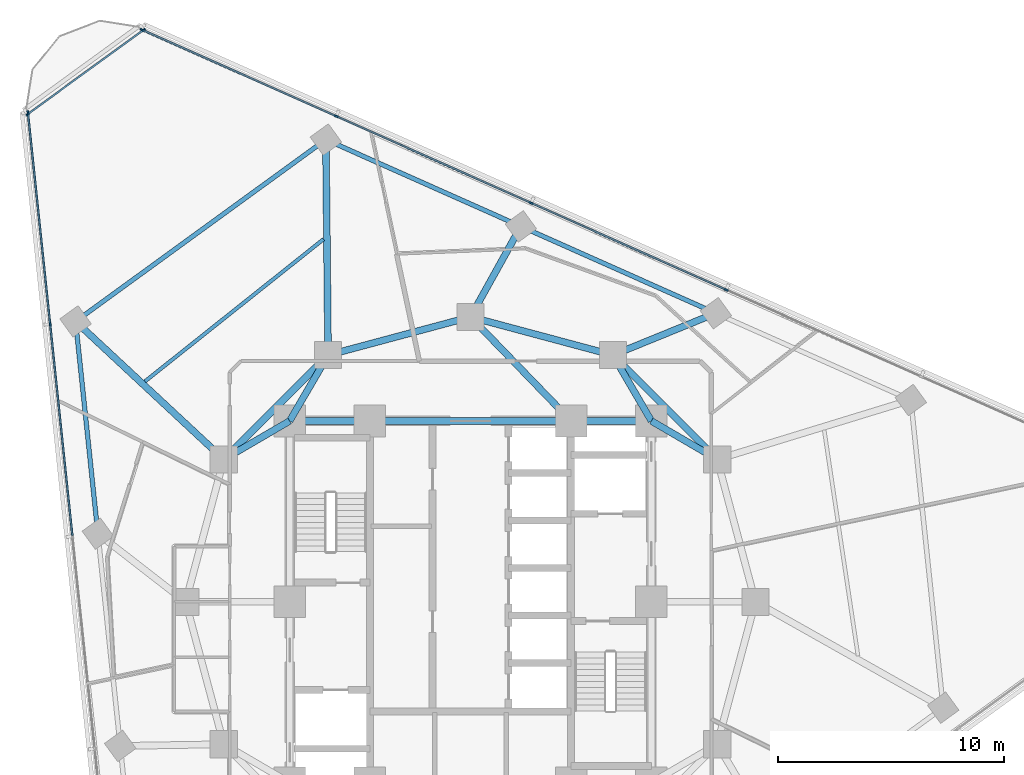
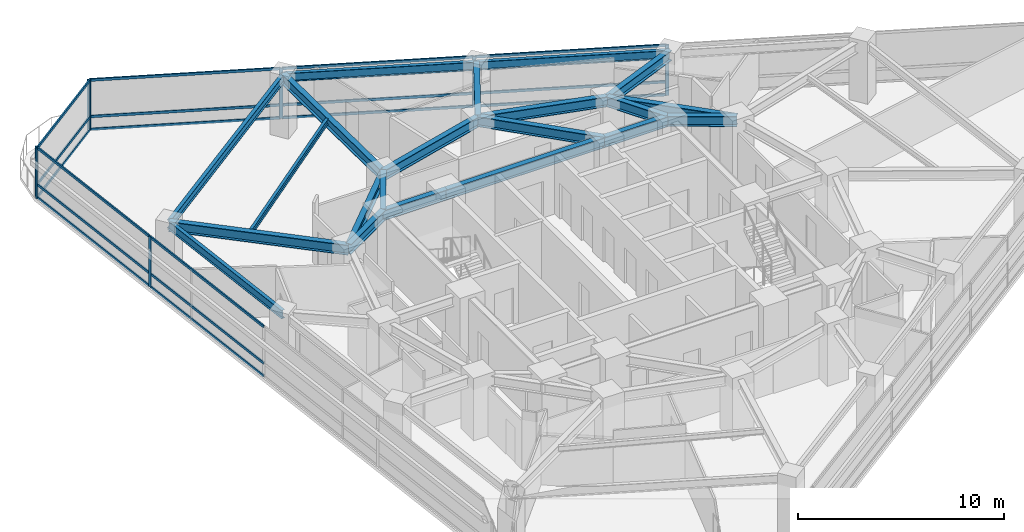
# One storey, part 5 of 14: 26 members, 21 beams, 3 elements without a shape of their own.
"""IFC4 building model written with IfcOpenShell, lengths in metres."""

import ifcopenshell
import ifcopenshell.guid

model = None  # the IFC model being written
_history = None  # IfcOwnerHistory: only IFC2X3 demands one
_inside = {}  # id of a spatial element -> (the spatial element, [elements in it])
_under = {}  # id of a project, library or spatial element -> (it, [spatial elements below it])
_declared = {}  # id of a project -> (the project, [libraries it declares])
_typed = {}  # id of a type object -> (the type object, [elements of that type])
_made_of = {}  # id of a material, layer set ... -> (it, [elements and type objects made of it])


def new_model(schema):
    """Start an empty IFC model of exactly this schema.

    Asked for "IFC4X3", IfcOpenShell would pick the latest addendum, in which some entities
    have other attributes; the version numbers below select the first issue.
    IFC2X3 requires an IfcOwnerHistory on every rooted entity: one is made here for all.
    """
    global model, _history
    if schema == "IFC4X3":
        model = ifcopenshell.file(schema_version=(4, 3, 0, 0))
    else:
        model = ifcopenshell.file(schema=schema)
    _inside.clear()
    _under.clear()
    _declared.clear()
    _typed.clear()
    _made_of.clear()
    _history = None
    if model.schema == "IFC2X3":
        org = make("IfcOrganization", Name="unknown")
        user = make(
            "IfcPersonAndOrganization",
            ThePerson=make("IfcPerson", FamilyName="unknown"),
            TheOrganization=org,
        )
        app = make(
            "IfcApplication",
            ApplicationDeveloper=org,
            Version="unknown",
            ApplicationFullName="unknown",
            ApplicationIdentifier="unknown",
        )
        _history = make(
            "IfcOwnerHistory",
            OwningUser=user,
            OwningApplication=app,
            ChangeAction="ADDED",
            CreationDate=0,
        )
    return model


def make(cls, **values):
    """One entity of the class cls with the attributes given. An attribute that is None is left unset."""
    return model.create_entity(
        cls, **{name: value for name, value in values.items() if value is not None}
    )


def rooted(cls, **values):
    """An entity with a GlobalId (a new one), such as an element, a storey or a relation."""
    return make(cls, GlobalId=ifcopenshell.guid.new(), OwnerHistory=_history, **values)


def si_unit(unit_type, name, prefix=None):
    """IfcSIUnit, for example si_unit("LENGTHUNIT", "METRE", prefix="MILLI")."""
    return make("IfcSIUnit", UnitType=unit_type, Prefix=prefix, Name=name)


def assignment(units):
    """IfcUnitAssignment: the units of a project."""
    return None if units is None else make("IfcUnitAssignment", Units=units)


def point(xyz):
    """IfcCartesianPoint."""
    return None if xyz is None else make("IfcCartesianPoint", Coordinates=xyz)


def direction(xyz):
    """IfcDirection."""
    return None if xyz is None else make("IfcDirection", DirectionRatios=xyz)


def frame(location, z_axis=None, x_axis=None):
    """IfcAxis2Placement3D, a coordinate frame: its origin and axes. An axis left out is left unset."""
    return make(
        "IfcAxis2Placement3D",
        Location=point(location),
        Axis=direction(z_axis),
        RefDirection=direction(x_axis),
    )


def frame_2d(location, x_axis=None):
    """IfcAxis2Placement2D, a coordinate frame in the plane: its origin and x axis."""
    return make(
        "IfcAxis2Placement2D", Location=point(location), RefDirection=direction(x_axis)
    )


def origin():
    """The frame at (0, 0, 0) with its axes left unset."""
    return frame((0.0, 0.0, 0.0))


def origin_2d():
    """The frame at (0, 0) in the plane with its x axis left unset."""
    return frame_2d((0.0, 0.0))


def place(relative_to, where):
    """IfcLocalPlacement: puts the frame where relative to a parent placement (None: the world)."""
    return make(
        "IfcLocalPlacement", PlacementRelTo=relative_to, RelativePlacement=where
    )


def context(
    kind, dimensions, precision=None, world=None, true_north=None, identifier=None
):
    """IfcGeometricRepresentationContext, for example the 3D "Model" context."""
    return make(
        "IfcGeometricRepresentationContext",
        ContextIdentifier=identifier,
        ContextType=kind,
        CoordinateSpaceDimension=dimensions,
        Precision=precision,
        WorldCoordinateSystem=world,
        TrueNorth=true_north,
    )


def subcontext(parent, identifier, kind, view, scale=None):
    """IfcGeometricRepresentationSubContext, for example "Body" below "Model"."""
    return make(
        "IfcGeometricRepresentationSubContext",
        ContextIdentifier=identifier,
        ContextType=kind,
        ParentContext=parent,
        TargetScale=scale,
        TargetView=view,
    )


def project(units=None, contexts=None):
    """IfcProject with its units and contexts."""
    return rooted(
        "IfcProject",
        Name="project",
        RepresentationContexts=contexts,
        UnitsInContext=assignment(units),
    )


def spatial(cls, under=None, at=None, **own):
    """A site, building, storey or space (cls), placed at a placement, below another one or the project."""
    s = rooted(cls, ObjectPlacement=at, **own)
    if under is not None:
        _under.setdefault(under.id(), (under, []))[1].append(s)
    return s


def profile(cls, at=None, kind="AREA", **sizes):
    """A parametric profile (cls). Its sizes go by their IFC names, for example OverallWidth=200.0."""
    return make(cls, ProfileType=kind, Position=at, **sizes)


def rectangle(**sizes):
    """IfcRectangleProfileDef."""
    return profile("IfcRectangleProfileDef", **sizes)


def i_section(**sizes):
    """IfcIShapeProfileDef."""
    return profile("IfcIShapeProfileDef", **sizes)


def extrude(swept, where, along, depth):
    """IfcExtrudedAreaSolid: the profile swept, set in the frame where, extruded along a direction by depth."""
    return make(
        "IfcExtrudedAreaSolid",
        SweptArea=swept,
        Position=where,
        ExtrudedDirection=direction(along),
        Depth=depth,
    )


def shape(context_of_items, identifier, shape_type, items):
    """IfcShapeRepresentation: the items that make up one representation, for example the "Body"."""
    return make(
        "IfcShapeRepresentation",
        ContextOfItems=context_of_items,
        RepresentationIdentifier=identifier,
        RepresentationType=shape_type,
        Items=items,
    )


def material(Name=None, Category=None):
    """IfcMaterial."""
    return make("IfcMaterial", Name=Name, Category=Category)


def layer(
    of_material, thickness, ventilated=None, Name=None, Category=None, Priority=None
):
    """IfcMaterialLayer: one layer of a wall or slab, of a material (None: an air gap)."""
    return make(
        "IfcMaterialLayer",
        Material=of_material,
        LayerThickness=thickness,
        IsVentilated=ventilated,
        Name=Name,
        Category=Category,
        Priority=Priority,
    )


def layer_set(layers, Name=None):
    """IfcMaterialLayerSet."""
    return make("IfcMaterialLayerSet", MaterialLayers=layers, LayerSetName=Name)


def material_profile(
    of_material, cross_section, Name=None, Category=None, Priority=None
):
    """IfcMaterialProfile: a cross section and its material."""
    return make(
        "IfcMaterialProfile",
        Name=Name,
        Material=of_material,
        Profile=cross_section,
        Priority=Priority,
        Category=Category,
    )


def profile_set(profiles, Name=None, composite=None):
    """IfcMaterialProfileSet."""
    return make(
        "IfcMaterialProfileSet",
        Name=Name,
        MaterialProfiles=profiles,
        CompositeProfile=composite,
    )


def made_of(thing, what):
    """Note that an element or type object is made of a material, layer set ...; save() writes the relation."""
    if what is not None:
        _made_of.setdefault(what.id(), (what, []))[1].append(thing)
    return thing


def type_object(cls, material=None, **own):
    """A type object (cls), such as IfcWallType, which elements share."""
    return made_of(rooted(cls, **own), material)


def element(
    cls,
    number,
    at=None,
    inside=None,
    cuts=None,
    type_object=None,
    material=None,
    context=None,
    identifier="Body",
    shape_type=None,
    held_by="IfcProductDefinitionShape",
    body=None,
    shapes=None,
    **own,
):
    """One element of the class cls, such as IfcWall. Its Tag is "e" and its number.

    at: its placement. inside: the storey or other place that contains it. cuts: it is an
    opening in that element (IfcRelVoidsElement). A single representation is given by context,
    identifier, shape_type and body (its items); several are given by shapes. held_by: the class
    of the entity that holds the representations. save() writes the other relations.
    """
    e = rooted(cls, Tag="e%d" % number, ObjectPlacement=at, **own)
    if body is not None:
        shapes = [shape(context, identifier, shape_type, body)]
    if shapes is not None:
        e.Representation = make(held_by, Representations=shapes)
    if inside is not None:
        _inside.setdefault(inside.id(), (inside, []))[1].append(e)
    if cuts is not None:
        rooted(
            "IfcRelVoidsElement", RelatingBuildingElement=cuts, RelatedOpeningElement=e
        )
    if type_object is not None:
        _typed.setdefault(type_object.id(), (type_object, []))[1].append(e)
    return made_of(e, material)


def aggregate(whole, parts):
    """IfcRelAggregates: a whole, such as a stair, and the parts it consists of."""
    return rooted("IfcRelAggregates", RelatingObject=whole, RelatedObjects=parts)


def save(model, path):
    """Write the relations noted so far, then the file.

    IfcRelAggregates (storeys below a building ...), IfcRelContainedInSpatialStructure (elements
    in a storey), IfcRelDefinesByType, IfcRelAssociatesMaterial and IfcRelDeclares: one each for
    every whole, place, type object, material and project.
    """
    for whole, parts in _under.values():
        aggregate(whole, parts)
    for where, things in _inside.values():
        rooted(
            "IfcRelContainedInSpatialStructure",
            RelatedElements=things,
            RelatingStructure=where,
        )
    for kind, things in _typed.values():
        rooted("IfcRelDefinesByType", RelatedObjects=things, RelatingType=kind)
    for what, things in _made_of.values():
        rooted("IfcRelAssociatesMaterial", RelatedObjects=things, RelatingMaterial=what)
    for by, libraries in _declared.values():
        rooted("IfcRelDeclares", RelatingContext=by, RelatedDefinitions=libraries)
    model.write(path)


model = new_model("IFC4")

# Units and contexts
model_context = context("Model", 3, precision=1e-05, world=origin(), true_north=direction((0.0, 1.0)))
body_context = subcontext(model_context, "Body", "Model", "MODEL_VIEW")
ifc_project = project(units=[si_unit("LENGTHUNIT", "METRE"), si_unit("AREAUNIT", "SQUARE_METRE"), si_unit("VOLUMEUNIT", "CUBIC_METRE"), si_unit("PLANEANGLEUNIT", "RADIAN"), si_unit("MASSUNIT", "GRAM", prefix="KILO")], contexts=[model_context])

# Site, building, storey
site_placement = place(None, origin())
site = spatial("IfcSite", under=ifc_project, at=site_placement, CompositionType="ELEMENT")
building_placement = place(site_placement, origin())
building = spatial("IfcBuilding", under=site, at=building_placement, Name="Terralouvre Media Tower", CompositionType="ELEMENT")
storey_placement = place(building_placement, frame((0.0, 0.0, 169.39990234375)))
storey = spatial("IfcBuildingStorey", under=building, at=storey_placement, Name="L43", CompositionType="ELEMENT", Elevation=169.39990234375)

# Beam
ifc_material_1 = material(Name="Structural steel S355J2", Category="steel")
ifc_material_profile_1 = material_profile(ifc_material_1, i_section(OverallWidth=0.159912109375, OverallDepth=0.330078125, WebThickness=0.007568359375, FlangeThickness=0.011474609375, at=origin_2d()), Name="IPE 330")
ifc_profile_set_1 = profile_set([ifc_material_profile_1], Name="Structural steel S355J2")
beam_type_1 = type_object("IfcBeamType", Name="Composite Floor Joist J-IPE330 (IPE 330)", PredefinedType="JOIST", material=ifc_profile_set_1)
beam_1_placement = place(storey_placement, frame((-6.500732421875, 16.037841796875, 3.335205078125), z_axis=(-0.782373963914, -0.622808943891, 0.0), x_axis=(0.622808943891, -0.782373963914, 0.0)))
element("IfcBeam", 1, at=beam_1_placement, inside=storey, type_object=beam_type_1, Name="L43 Framing Beam JT-L43-05", PredefinedType="JOIST", context=body_context, shape_type="SweptSolid", body=[
    extrude(i_section(OverallWidth=0.159912109375, OverallDepth=0.330078125, WebThickness=0.007568359375, FlangeThickness=0.011474609375, at=origin_2d()), origin(), (0.0, 0.0, 1.0), 10.0966796875),
])

# Curtain wall, members
ifc_material_2 = material(Name="Low-iron laminated double glazing with solar-control coating", Category="glass")
ifc_layer_1 = layer(ifc_material_2, 0.1650390625, Name="Production Studio Tower Curtain Wall CW-03")
ifc_layer_set_1 = layer_set([ifc_layer_1], Name="Low-iron laminated double glazing with solar-control coating")
curtain_wall_type_1 = type_object("IfcCurtainWallType", Name="Production Studio Tower Curtain Wall CW-03", PredefinedType="NOTDEFINED", material=ifc_layer_set_1)
curtain_wall_1_placement = place(storey_placement, origin())
curtain_wall_1 = element("IfcCurtainWall", 2, at=curtain_wall_1_placement, inside=storey, type_object=curtain_wall_type_1, Name="L43 Facade Curtain Wall F1", PredefinedType="NOTDEFINED")
ifc_material_3 = material(Name="Anodised extruded aluminium 6063-T6", Category="aluminium")
ifc_material_profile_2 = material_profile(ifc_material_3, rectangle(XDim=0.074951171875, YDim=0.14990234375, at=origin_2d()), Name="ALU 75x150")
ifc_profile_set_2 = profile_set([ifc_material_profile_2], Name="Anodised extruded aluminium 6063-T6")
member_type_1 = type_object("IfcMemberType", Name="Curtain-Wall Horizontal Transom TR-150", PredefinedType="USERDEFINED", material=ifc_profile_set_2)
member_1_placement = place(storey_placement, frame((11.27587890625, 13.8134765625, 0.03759765625), z_axis=(-0.913546899195, 0.40673340528, 0.0), x_axis=(-0.40673340528, -0.913546899195, 0.0)))
member_1 = element("IfcMember", 3, at=member_1_placement, type_object=member_type_1, Name="CW-03 transom 3.1", ObjectType="TRANSOM", PredefinedType="USERDEFINED", context=body_context, shape_type="SweptSolid", body=[
    extrude(rectangle(XDim=0.074951171875, YDim=0.14990234375, at=origin_2d()), origin(), (0.0, 0.0, 1.0), 9.364990234375),
])
member_2_placement = place(storey_placement, frame((11.27587890625, 13.8134765625, 0.800048828125), z_axis=(-0.913546899195, 0.40673340528, 0.0), x_axis=(-0.40673340528, -0.913546899195, 0.0)))
member_2 = element("IfcMember", 4, at=member_2_placement, type_object=member_type_1, Name="CW-03 transom 3.2", ObjectType="TRANSOM", PredefinedType="USERDEFINED", context=body_context, shape_type="SweptSolid", body=[
    extrude(rectangle(XDim=0.074951171875, YDim=0.14990234375, at=origin_2d()), origin(), (0.0, 0.0, 1.0), 9.364990234375),
])
member_3_placement = place(storey_placement, frame((11.27587890625, 13.8134765625, 2.962646484375), z_axis=(-0.913546899195, 0.40673340528, 0.0), x_axis=(-0.40673340528, -0.913546899195, 0.0)))
member_3 = element("IfcMember", 5, at=member_3_placement, type_object=member_type_1, Name="CW-03 transom 3.3", ObjectType="TRANSOM", PredefinedType="USERDEFINED", context=body_context, shape_type="SweptSolid", body=[
    extrude(rectangle(XDim=0.074951171875, YDim=0.14990234375, at=origin_2d()), origin(), (0.0, 0.0, 1.0), 9.364990234375),
])
member_4_placement = place(storey_placement, frame((2.65185546875, 17.653076171875, 0.03759765625), z_axis=(-0.913546899195, 0.40673340528, 0.0), x_axis=(-0.40673340528, -0.913546899195, 0.0)))
member_4 = element("IfcMember", 6, at=member_4_placement, type_object=member_type_1, Name="CW-03 transom 4.1", ObjectType="TRANSOM", PredefinedType="USERDEFINED", context=body_context, shape_type="SweptSolid", body=[
    extrude(rectangle(XDim=0.074951171875, YDim=0.14990234375, at=origin_2d()), origin(), (0.0, 0.0, 1.0), 9.364990234375),
])
member_5_placement = place(storey_placement, frame((2.65185546875, 17.653076171875, 0.800048828125), z_axis=(-0.913546899195, 0.40673340528, 0.0), x_axis=(-0.40673340528, -0.913546899195, 0.0)))
member_5 = element("IfcMember", 7, at=member_5_placement, type_object=member_type_1, Name="CW-03 transom 4.2", ObjectType="TRANSOM", PredefinedType="USERDEFINED", context=body_context, shape_type="SweptSolid", body=[
    extrude(rectangle(XDim=0.074951171875, YDim=0.14990234375, at=origin_2d()), origin(), (0.0, 0.0, 1.0), 9.364990234375),
])
member_6_placement = place(storey_placement, frame((2.65185546875, 17.653076171875, 2.962646484375), z_axis=(-0.913546899195, 0.40673340528, 0.0), x_axis=(-0.40673340528, -0.913546899195, 0.0)))
member_6 = element("IfcMember", 8, at=member_6_placement, type_object=member_type_1, Name="CW-03 transom 4.3", ObjectType="TRANSOM", PredefinedType="USERDEFINED", context=body_context, shape_type="SweptSolid", body=[
    extrude(rectangle(XDim=0.074951171875, YDim=0.14990234375, at=origin_2d()), origin(), (0.0, 0.0, 1.0), 9.364990234375),
])
member_7_placement = place(storey_placement, frame((-5.971923828125, 21.49267578125, 0.03759765625), z_axis=(-0.913553401339, 0.406718800774, 0.0), x_axis=(-0.406718800774, -0.913553401339, 0.0)))
member_7 = element("IfcMember", 9, at=member_7_placement, type_object=member_type_1, Name="CW-03 transom 5.1", ObjectType="TRANSOM", PredefinedType="USERDEFINED", context=body_context, shape_type="SweptSolid", body=[
    extrude(rectangle(XDim=0.074951171875, YDim=0.14990234375, at=origin_2d()), origin(), (0.0, 0.0, 1.0), 9.32763671875),
])
member_8_placement = place(storey_placement, frame((-5.971923828125, 21.49267578125, 0.800048828125), z_axis=(-0.913553401339, 0.406718800774, 0.0), x_axis=(-0.406718800774, -0.913553401339, 0.0)))
member_8 = element("IfcMember", 10, at=member_8_placement, type_object=member_type_1, Name="CW-03 transom 5.2", ObjectType="TRANSOM", PredefinedType="USERDEFINED", context=body_context, shape_type="SweptSolid", body=[
    extrude(rectangle(XDim=0.074951171875, YDim=0.14990234375, at=origin_2d()), origin(), (0.0, 0.0, 1.0), 9.32763671875),
])
member_9_placement = place(storey_placement, frame((-5.971923828125, 21.49267578125, 2.962646484375), z_axis=(-0.913553401339, 0.406718800774, 0.0), x_axis=(-0.406718800774, -0.913553401339, 0.0)))
member_9 = element("IfcMember", 11, at=member_9_placement, type_object=member_type_1, Name="CW-03 transom 5.3", ObjectType="TRANSOM", PredefinedType="USERDEFINED", context=body_context, shape_type="SweptSolid", body=[
    extrude(rectangle(XDim=0.074951171875, YDim=0.14990234375, at=origin_2d()), origin(), (0.0, 0.0, 1.0), 9.32763671875),
])

curtain_wall_2_placement = place(storey_placement, origin())
curtain_wall_2 = element("IfcCurtainWall", 12, at=curtain_wall_2_placement, inside=storey, type_object=curtain_wall_type_1, Name="L43 Facade Curtain Wall F2", PredefinedType="NOTDEFINED")
member_10_placement = place(storey_placement, frame((-19.5703125, 21.59765625, 0.03759765625), z_axis=(0.104540358364, -0.994520645071, 0.0), x_axis=(0.994520645071, 0.104540358364, 0.0)))
member_10 = element("IfcMember", 13, at=member_10_placement, type_object=member_type_1, Name="CW-03 transom 1.1", ObjectType="TRANSOM", PredefinedType="USERDEFINED", context=body_context, shape_type="SweptSolid", body=[
    extrude(rectangle(XDim=0.074951171875, YDim=0.14990234375, at=origin_2d()), origin(), (0.0, 0.0, 1.0), 9.327392578125),
])
member_11_placement = place(storey_placement, frame((-19.5703125, 21.59765625, 0.800048828125), z_axis=(0.104540358364, -0.994520645071, 0.0), x_axis=(0.994520645071, 0.104540358364, 0.0)))
member_11 = element("IfcMember", 14, at=member_11_placement, type_object=member_type_1, Name="CW-03 transom 1.2", ObjectType="TRANSOM", PredefinedType="USERDEFINED", context=body_context, shape_type="SweptSolid", body=[
    extrude(rectangle(XDim=0.074951171875, YDim=0.14990234375, at=origin_2d()), origin(), (0.0, 0.0, 1.0), 9.327392578125),
])
member_12_placement = place(storey_placement, frame((-19.5703125, 21.59765625, 2.962646484375), z_axis=(0.104540358364, -0.994520645071, 0.0), x_axis=(0.994520645071, 0.104540358364, 0.0)))
member_12 = element("IfcMember", 15, at=member_12_placement, type_object=member_type_1, Name="CW-03 transom 1.3", ObjectType="TRANSOM", PredefinedType="USERDEFINED", context=body_context, shape_type="SweptSolid", body=[
    extrude(rectangle(XDim=0.074951171875, YDim=0.14990234375, at=origin_2d()), origin(), (0.0, 0.0, 1.0), 9.327392578125),
])
member_13_placement = place(storey_placement, frame((-18.58740234375, 12.24658203125, 0.03759765625), z_axis=(0.104538223456, -0.994520869483, 0.0), x_axis=(0.994520869483, 0.104538223456, 0.0)))
member_13 = element("IfcMember", 16, at=member_13_placement, type_object=member_type_1, Name="CW-03 transom 2.1", ObjectType="TRANSOM", PredefinedType="USERDEFINED", context=body_context, shape_type="SweptSolid", body=[
    extrude(rectangle(XDim=0.074951171875, YDim=0.14990234375, at=origin_2d()), origin(), (0.0, 0.0, 1.0), 9.364990234375),
])
member_14_placement = place(storey_placement, frame((-18.58740234375, 12.24658203125, 0.800048828125), z_axis=(0.104538223456, -0.994520869483, 0.0), x_axis=(0.994520869483, 0.104538223456, 0.0)))
member_14 = element("IfcMember", 17, at=member_14_placement, type_object=member_type_1, Name="CW-03 transom 2.2", ObjectType="TRANSOM", PredefinedType="USERDEFINED", context=body_context, shape_type="SweptSolid", body=[
    extrude(rectangle(XDim=0.074951171875, YDim=0.14990234375, at=origin_2d()), origin(), (0.0, 0.0, 1.0), 9.364990234375),
])
member_15_placement = place(storey_placement, frame((-18.58740234375, 12.24658203125, 2.962646484375), z_axis=(0.104538223456, -0.994520869483, 0.0), x_axis=(0.994520869483, 0.104538223456, 0.0)))
member_15 = element("IfcMember", 18, at=member_15_placement, type_object=member_type_1, Name="CW-03 transom 2.3", ObjectType="TRANSOM", PredefinedType="USERDEFINED", context=body_context, shape_type="SweptSolid", body=[
    extrude(rectangle(XDim=0.074951171875, YDim=0.14990234375, at=origin_2d()), origin(), (0.0, 0.0, 1.0), 9.364990234375),
])

ifc_material_4 = material(Name="Low-iron laminated double glazing with solar-control coating", Category="glass")
ifc_layer_2 = layer(ifc_material_4, 0.1650390625, Name="Rounded Wind-Corner Curved Glazing CW-04")
ifc_layer_set_2 = layer_set([ifc_layer_2], Name="Low-iron laminated double glazing with solar-control coating")
curtain_wall_type_2 = type_object("IfcCurtainWallType", Name="Rounded Wind-Corner Curved Glazing CW-04", PredefinedType="NOTDEFINED", material=ifc_layer_set_2)
curtain_wall_3_placement = place(storey_placement, origin())
curtain_wall_3 = element("IfcCurtainWall", 19, at=curtain_wall_3_placement, inside=storey, type_object=curtain_wall_type_2, Name="L43 Rounded Wind-Corner Curtain Wall C2", PredefinedType="NOTDEFINED")
member_16_placement = place(storey_placement, frame((-14.4912109375, 25.269287109375, 0.03759765625), z_axis=(-0.809012644162, -0.587791239801, 0.0), x_axis=(0.587791239801, -0.809012644162, 0.0)))
member_16 = element("IfcMember", 20, at=member_16_placement, type_object=member_type_1, Name="CW-04 transom 1.1", ObjectType="TRANSOM", PredefinedType="USERDEFINED", context=body_context, shape_type="SweptSolid", body=[
    extrude(rectangle(XDim=0.074951171875, YDim=0.14990234375, at=origin_2d()), origin(), (0.0, 0.0, 1.0), 6.258544921875),
])
member_17_placement = place(storey_placement, frame((-14.4912109375, 25.269287109375, 0.800048828125), z_axis=(-0.809012644162, -0.587791239801, 0.0), x_axis=(0.587791239801, -0.809012644162, 0.0)))
member_17 = element("IfcMember", 21, at=member_17_placement, type_object=member_type_1, Name="CW-04 transom 1.2", ObjectType="TRANSOM", PredefinedType="USERDEFINED", context=body_context, shape_type="SweptSolid", body=[
    extrude(rectangle(XDim=0.074951171875, YDim=0.14990234375, at=origin_2d()), origin(), (0.0, 0.0, 1.0), 6.258544921875),
])
member_18_placement = place(storey_placement, frame((-14.4912109375, 25.269287109375, 2.962646484375), z_axis=(-0.809012644162, -0.587791239801, 0.0), x_axis=(0.587791239801, -0.809012644162, 0.0)))
member_18 = element("IfcMember", 22, at=member_18_placement, type_object=member_type_1, Name="CW-04 transom 1.3", ObjectType="TRANSOM", PredefinedType="USERDEFINED", context=body_context, shape_type="SweptSolid", body=[
    extrude(rectangle(XDim=0.074951171875, YDim=0.14990234375, at=origin_2d()), origin(), (0.0, 0.0, 1.0), 6.258544921875),
])

# Member
ifc_material_5 = material(Name="Anodised extruded aluminium 6063-T6", Category="aluminium")
ifc_material_profile_3 = material_profile(ifc_material_5, rectangle(XDim=0.074951171875, YDim=0.179931640625, at=origin_2d()), Name="ALU 75x180")
ifc_profile_set_3 = profile_set([ifc_material_profile_3], Name="Anodised extruded aluminium 6063-T6")
member_type_2 = type_object("IfcMemberType", Name="Curtain-Wall Vertical Mullion ML-180", PredefinedType="MULLION", material=ifc_profile_set_3)
member_19_placement = place(storey_placement, frame((11.31005859375, 13.798095703125, 0.0), z_axis=(0.0, 0.0, 1.0), x_axis=(-0.406736616337, -0.913545469547, 0.0)))
member_19 = element("IfcMember", 23, at=member_19_placement, type_object=member_type_2, Name="CW-03 mullion 3", PredefinedType="MULLION", context=body_context, shape_type="SweptSolid", body=[
    extrude(rectangle(XDim=0.074951171875, YDim=0.179931640625, at=origin_2d()), origin(), (0.0, 0.0, 1.0), 3.0),
])

member_20_placement = place(storey_placement, frame((2.686279296875, 17.6376953125, 0.0), z_axis=(0.0, 0.0, 1.0), x_axis=(-0.406736616337, -0.913545469547, 0.0)))
member_20 = element("IfcMember", 24, at=member_20_placement, type_object=member_type_2, Name="CW-03 mullion 4", PredefinedType="MULLION", context=body_context, shape_type="SweptSolid", body=[
    extrude(rectangle(XDim=0.074951171875, YDim=0.179931640625, at=origin_2d()), origin(), (0.0, 0.0, 1.0), 3.0),
])

member_21_placement = place(storey_placement, frame((-5.937744140625, 21.477294921875, 0.0), z_axis=(0.0, 0.0, 1.0), x_axis=(-0.406736616337, -0.913545469547, 0.0)))
member_21 = element("IfcMember", 25, at=member_21_placement, type_object=member_type_2, Name="CW-03 mullion 5", PredefinedType="MULLION", context=body_context, shape_type="SweptSolid", body=[
    extrude(rectangle(XDim=0.074951171875, YDim=0.179931640625, at=origin_2d()), origin(), (0.0, 0.0, 1.0), 3.0),
])

member_22_placement = place(storey_placement, frame((-14.52734375, 25.3017578125, 0.0), z_axis=(0.0, 0.0, 1.0), x_axis=(-0.406736616337, -0.913545469547, 0.0)))
member_22 = element("IfcMember", 26, at=member_22_placement, type_object=member_type_2, Name="CW-03 mullion 6", PredefinedType="MULLION", context=body_context, shape_type="SweptSolid", body=[
    extrude(rectangle(XDim=0.074951171875, YDim=0.179931640625, at=origin_2d()), origin(), (0.0, 0.0, 1.0), 3.0),
])

aggregate(curtain_wall_1, [member_19, member_20, member_21, member_22, member_1, member_2, member_3, member_4, member_5, member_6, member_7, member_8, member_9])

member_23_placement = place(storey_placement, frame((-19.57421875, 21.635009765625, 0.0), z_axis=(0.0, 0.0, 1.0), x_axis=(0.994521904516, 0.104528376236, 0.0)))
member_23 = element("IfcMember", 27, at=member_23_placement, type_object=member_type_2, Name="CW-03 mullion 1", PredefinedType="MULLION", context=body_context, shape_type="SweptSolid", body=[
    extrude(rectangle(XDim=0.074951171875, YDim=0.179931640625, at=origin_2d()), origin(), (0.0, 0.0, 1.0), 3.0),
])

member_24_placement = place(storey_placement, frame((-18.59130859375, 12.283935546875, 0.0), z_axis=(0.0, 0.0, 1.0), x_axis=(0.994521904516, 0.104528376236, 0.0)))
member_24 = element("IfcMember", 28, at=member_24_placement, type_object=member_type_2, Name="CW-03 mullion 2", PredefinedType="MULLION", context=body_context, shape_type="SweptSolid", body=[
    extrude(rectangle(XDim=0.074951171875, YDim=0.179931640625, at=origin_2d()), origin(), (0.0, 0.0, 1.0), 3.0),
])

aggregate(curtain_wall_2, [member_23, member_24, member_10, member_11, member_12, member_13, member_14, member_15])

member_25_placement = place(storey_placement, frame((-14.4609375, 25.291259765625, 0.0), z_axis=(0.0, 0.0, 1.0), x_axis=(0.587784641221, -0.809017438344, 0.0)))
member_25 = element("IfcMember", 29, at=member_25_placement, type_object=member_type_2, Name="CW-04 mullion 1", PredefinedType="MULLION", context=body_context, shape_type="SweptSolid", body=[
    extrude(rectangle(XDim=0.074951171875, YDim=0.179931640625, at=origin_2d()), origin(), (0.0, 0.0, 1.0), 3.0),
])

member_26_placement = place(storey_placement, frame((-19.584716796875, 21.568603515625, 0.0), z_axis=(0.0, 0.0, 1.0), x_axis=(0.587784641221, -0.809017438344, 0.0)))
member_26 = element("IfcMember", 30, at=member_26_placement, type_object=member_type_2, Name="CW-04 mullion 2", PredefinedType="MULLION", context=body_context, shape_type="SweptSolid", body=[
    extrude(rectangle(XDim=0.074951171875, YDim=0.179931640625, at=origin_2d()), origin(), (0.0, 0.0, 1.0), 3.0),
])

aggregate(curtain_wall_3, [member_25, member_26, member_16, member_17, member_18])

# Beams
ifc_material_6 = material(Name="Structural steel S355J2", Category="steel")
ifc_material_profile_4 = material_profile(ifc_material_6, i_section(OverallWidth=0.199951171875, OverallDepth=0.5, WebThickness=0.01025390625, FlangeThickness=0.01611328125, at=origin_2d()), Name="IPE 500")
ifc_profile_set_4 = profile_set([ifc_material_profile_4], Name="Structural steel S355J2")
beam_type_2 = type_object("IfcBeamType", Name="Perimeter Spandrel Beam SPB-500 (IPE 500)", PredefinedType="SPANDREL", material=ifc_profile_set_4)
for number, where, z_axis, x_axis, name in (
    (31, (10.850341796875, 12.765869140625, 3.25), (-0.913543659167, 0.406740682494, 0.0), (-0.406740682494, -0.913543659167, 0.0), "L43 Framing Beam BM-L43-PR08"),
    (32, (2.2265625, 16.60546875, 3.25), (-0.913543659167, 0.406740682494, 0.0), (-0.406740682494, -0.913543659167, 0.0), "L43 Framing Beam BM-L43-PR09"),
):
    element("IfcBeam", number, at=place(storey_placement, frame(where, z_axis=z_axis, x_axis=x_axis)), inside=storey, type_object=beam_type_2, Name=name, PredefinedType="SPANDREL", context=body_context, shape_type="SweptSolid", body=[
        extrude(i_section(OverallWidth=0.199951171875, OverallDepth=0.5, WebThickness=0.01025390625, FlangeThickness=0.01611328125, at=origin_2d()), origin(), (0.0, 0.0, 1.0), 9.43994140625),
    ])
beam_2_placement = place(storey_placement, frame((-6.397216796875, 20.445068359375, 3.25), z_axis=(-0.80901991627, -0.587781230628, 0.0), x_axis=(0.587781230628, -0.80901991627, 0.0)))
element("IfcBeam", 33, at=beam_2_placement, inside=storey, type_object=beam_type_2, Name="L43 Framing Beam BM-L43-PR10", PredefinedType="SPANDREL", context=body_context, shape_type="SweptSolid", body=[
    extrude(i_section(OverallWidth=0.199951171875, OverallDepth=0.5, WebThickness=0.01025390625, FlangeThickness=0.01611328125, at=origin_2d()), origin(), (0.0, 0.0, 1.0), 13.68359375),
])
beam_3_placement = place(storey_placement, frame((-17.467529296875, 12.402099609375, 3.25), z_axis=(0.10453669331, -0.994521030321, 0.0), x_axis=(0.994521030321, 0.10453669331, 0.0)))
element("IfcBeam", 34, at=beam_3_placement, inside=storey, type_object=beam_type_2, Name="L43 Framing Beam BM-L43-PR11", PredefinedType="SPANDREL", context=body_context, shape_type="SweptSolid", body=[
    extrude(i_section(OverallWidth=0.199951171875, OverallDepth=0.5, WebThickness=0.01025390625, FlangeThickness=0.01611328125, at=origin_2d()), origin(), (0.0, 0.0, 1.0), 9.43994140625),
])
ifc_material_7 = material(Name="Structural steel S460M", Category="steel")
ifc_material_profile_5 = material_profile(ifc_material_7, i_section(OverallWidth=0.300048828125, OverallDepth=0.60009765625, WebThickness=0.015380859375, FlangeThickness=0.030029296875, at=origin_2d()), Name="HEB 600")
ifc_profile_set_5 = profile_set([ifc_material_profile_5], Name="Structural steel S460M")
beam_type_3 = type_object("IfcBeamType", Name="Primary Floor Girder B-HEB600 (HEB 600)", PredefinedType="BEAM", material=ifc_profile_set_5)
beam_4_placement = place(storey_placement, frame((8.0, 8.0, 3.2001953125), z_axis=(-1.0, 0.0, 0.0), x_axis=(0.0, -1.0, 0.0)))
element("IfcBeam", 35, at=beam_4_placement, inside=storey, type_object=beam_type_3, Name="L43 Framing Beam BM-L43-CPR06", PredefinedType="BEAM", context=body_context, shape_type="SweptSolid", body=[
    extrude(i_section(OverallWidth=0.300048828125, OverallDepth=0.60009765625, WebThickness=0.015380859375, FlangeThickness=0.030029296875, at=origin_2d()), origin(), (0.0, 0.0, 1.0), 3.550048828125),
])
beam_5_placement = place(storey_placement, frame((4.449951171875, 8.0, 3.2001953125), z_axis=(-1.0, 0.0, 0.0), x_axis=(0.0, -1.0, 0.0)))
element("IfcBeam", 36, at=beam_5_placement, inside=storey, type_object=beam_type_3, Name="L43 Framing Beam BM-L43-CPR07", PredefinedType="BEAM", context=body_context, shape_type="SweptSolid", body=[
    extrude(i_section(OverallWidth=0.300048828125, OverallDepth=0.60009765625, WebThickness=0.015380859375, FlangeThickness=0.030029296875, at=origin_2d()), origin(), (0.0, 0.0, 1.0), 8.89990234375),
])
beam_6_placement = place(storey_placement, frame((-4.449951171875, 8.0, 3.2001953125), z_axis=(-1.0, 0.0, 0.0), x_axis=(0.0, -1.0, 0.0)))
element("IfcBeam", 37, at=beam_6_placement, inside=storey, type_object=beam_type_3, Name="L43 Framing Beam BM-L43-CPR08", PredefinedType="BEAM", context=body_context, shape_type="SweptSolid", body=[
    extrude(i_section(OverallWidth=0.300048828125, OverallDepth=0.60009765625, WebThickness=0.015380859375, FlangeThickness=0.030029296875, at=origin_2d()), origin(), (0.0, 0.0, 1.0), 3.550048828125),
])
beam_7_placement = place(storey_placement, frame((10.911865234375, 6.300048828125, 3.2001953125), z_axis=(-0.707106781187, 0.707106781187, 0.0), x_axis=(-0.707106781187, -0.707106781187, 0.0)))
element("IfcBeam", 38, at=beam_7_placement, inside=storey, type_object=beam_type_3, Name="L43 Framing Beam BM-L43-MR07", PredefinedType="BEAM", context=body_context, shape_type="SweptSolid", body=[
    extrude(i_section(OverallWidth=0.300048828125, OverallDepth=0.60009765625, WebThickness=0.015380859375, FlangeThickness=0.030029296875, at=origin_2d()), origin(), (0.0, 0.0, 1.0), 6.52197265625),
])
for number, where, z_axis, x_axis, name in (
    (39, (6.300048828125, 10.911865234375, 3.2001953125), (-0.965920481897, 0.258838989821, 0.0), (-0.258838989821, -0.965920481897, 0.0), "L43 Framing Beam BM-L43-MR08"),
    (40, (0.0, 12.60009765625, 3.2001953125), (-0.965920481897, -0.258838989821, 0.0), (0.258838989821, -0.965920481897, 0.0), "L43 Framing Beam BM-L43-MR09"),
):
    element("IfcBeam", number, at=place(storey_placement, frame(where, z_axis=z_axis, x_axis=x_axis)), inside=storey, type_object=beam_type_3, Name=name, PredefinedType="BEAM", context=body_context, shape_type="SweptSolid", body=[
        extrude(i_section(OverallWidth=0.300048828125, OverallDepth=0.60009765625, WebThickness=0.015380859375, FlangeThickness=0.030029296875, at=origin_2d()), origin(), (0.0, 0.0, 1.0), 6.522216796875),
    ])
beam_8_placement = place(storey_placement, frame((-6.300048828125, 10.911865234375, 3.2001953125), z_axis=(-0.707106781187, -0.707106781187, 0.0), x_axis=(0.707106781187, -0.707106781187, 0.0)))
element("IfcBeam", 41, at=beam_8_placement, inside=storey, type_object=beam_type_3, Name="L43 Framing Beam BM-L43-MR10", PredefinedType="BEAM", context=body_context, shape_type="SweptSolid", body=[
    extrude(i_section(OverallWidth=0.300048828125, OverallDepth=0.60009765625, WebThickness=0.015380859375, FlangeThickness=0.030029296875, at=origin_2d()), origin(), (0.0, 0.0, 1.0), 6.52197265625),
])
for number, where, z_axis, x_axis, name in (
    (42, (8.0, 8.0, 3.2001953125), (0.863602894532, -0.504172629717, 0.0), (0.504172629717, 0.863602894532, 0.0), "L43 Framing Beam BM-L43-CM07"),
    (43, (8.0, 8.0, 3.2001953125), (-0.504172629717, 0.863602894532, 0.0), (-0.863602894532, -0.504172629717, 0.0), "L43 Framing Beam BM-L43-CM08"),
):
    element("IfcBeam", number, at=place(storey_placement, frame(where, z_axis=z_axis, x_axis=x_axis)), inside=storey, type_object=beam_type_3, Name=name, PredefinedType="BEAM", context=body_context, shape_type="SweptSolid", body=[
        extrude(i_section(OverallWidth=0.300048828125, OverallDepth=0.60009765625, WebThickness=0.015380859375, FlangeThickness=0.030029296875, at=origin_2d()), origin(), (0.0, 0.0, 1.0), 3.371826171875),
    ])
beam_9_placement = place(storey_placement, frame((4.449951171875, 8.0, 3.2001953125), z_axis=(-0.695279715726, 0.718739255155, 0.0), x_axis=(-0.718739255155, -0.695279715726, 0.0)))
element("IfcBeam", 44, at=beam_9_placement, inside=storey, type_object=beam_type_3, Name="L43 Framing Beam BM-L43-CM09", PredefinedType="BEAM", context=body_context, shape_type="SweptSolid", body=[
    extrude(i_section(OverallWidth=0.300048828125, OverallDepth=0.60009765625, WebThickness=0.015380859375, FlangeThickness=0.030029296875, at=origin_2d()), origin(), (0.0, 0.0, 1.0), 6.400146484375),
])
for number, where, z_axis, x_axis, name in (
    (45, (-8.0, 8.0, 3.2001953125), (0.504172629717, 0.863602894532, 0.0), (-0.863602894532, 0.504172629717, 0.0), "L43 Framing Beam BM-L43-CM10"),
    (46, (-8.0, 8.0, 3.2001953125), (-0.863602894532, -0.504172629717, 0.0), (0.504172629717, -0.863602894532, 0.0), "L43 Framing Beam BM-L43-CM11"),
):
    element("IfcBeam", number, at=place(storey_placement, frame(where, z_axis=z_axis, x_axis=x_axis)), inside=storey, type_object=beam_type_3, Name=name, PredefinedType="BEAM", context=body_context, shape_type="SweptSolid", body=[
        extrude(i_section(OverallWidth=0.300048828125, OverallDepth=0.60009765625, WebThickness=0.015380859375, FlangeThickness=0.030029296875, at=origin_2d()), origin(), (0.0, 0.0, 1.0), 3.371826171875),
    ])
beam_10_placement = place(storey_placement, frame((6.300048828125, 10.911865234375, 3.2001953125), z_axis=(0.926079498884, 0.377328453403, 0.0), x_axis=(-0.377328453403, 0.926079498884, 0.0)))
element("IfcBeam", 47, at=beam_10_placement, inside=storey, type_object=beam_type_3, Name="L43 Framing Beam BM-L43-RD08", PredefinedType="BEAM", context=body_context, shape_type="SweptSolid", body=[
    extrude(i_section(OverallWidth=0.300048828125, OverallDepth=0.60009765625, WebThickness=0.015380859375, FlangeThickness=0.030029296875, at=origin_2d()), origin(), (0.0, 0.0, 1.0), 4.91357421875),
])
beam_11_placement = place(storey_placement, frame((0.0, 12.60009765625, 3.2001953125), z_axis=(0.485869082881, 0.874031597999, 0.0), x_axis=(-0.874031597999, 0.485869082881, 0.0)))
element("IfcBeam", 48, at=beam_11_placement, inside=storey, type_object=beam_type_3, Name="L43 Framing Beam BM-L43-RD09", PredefinedType="BEAM", context=body_context, shape_type="SweptSolid", body=[
    extrude(i_section(OverallWidth=0.300048828125, OverallDepth=0.60009765625, WebThickness=0.015380859375, FlangeThickness=0.030029296875, at=origin_2d()), origin(), (0.0, 0.0, 1.0), 4.58251953125),
])
beam_12_placement = place(storey_placement, frame((-6.300048828125, 10.911865234375, 3.2001953125), z_axis=(-0.010192054081, 0.999948059668, 0.0), x_axis=(-0.999948059668, -0.010192054081, 0.0)))
element("IfcBeam", 49, at=beam_12_placement, inside=storey, type_object=beam_type_3, Name="L43 Framing Beam BM-L43-RD10", PredefinedType="BEAM", context=body_context, shape_type="SweptSolid", body=[
    extrude(i_section(OverallWidth=0.300048828125, OverallDepth=0.60009765625, WebThickness=0.015380859375, FlangeThickness=0.030029296875, at=origin_2d()), origin(), (0.0, 0.0, 1.0), 9.53369140625),
])
beam_13_placement = place(storey_placement, frame((-10.911865234375, 6.300048828125, 3.2001953125), z_axis=(-0.731977414873, 0.6813288957, 0.0), x_axis=(-0.6813288957, -0.731977414873, 0.0)))
element("IfcBeam", 50, at=beam_13_placement, inside=storey, type_object=beam_type_3, Name="L43 Framing Beam BM-L43-RD11", PredefinedType="BEAM", context=body_context, shape_type="SweptSolid", body=[
    extrude(i_section(OverallWidth=0.300048828125, OverallDepth=0.60009765625, WebThickness=0.015380859375, FlangeThickness=0.030029296875, at=origin_2d()), origin(), (0.0, 0.0, 1.0), 8.9560546875),
])

save(model, "model.ifc")
